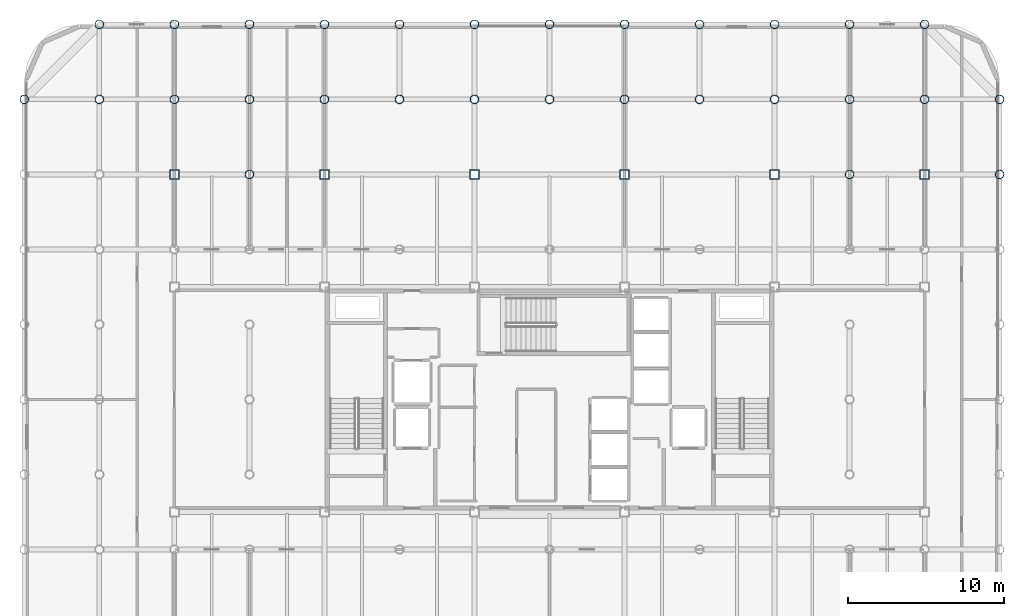
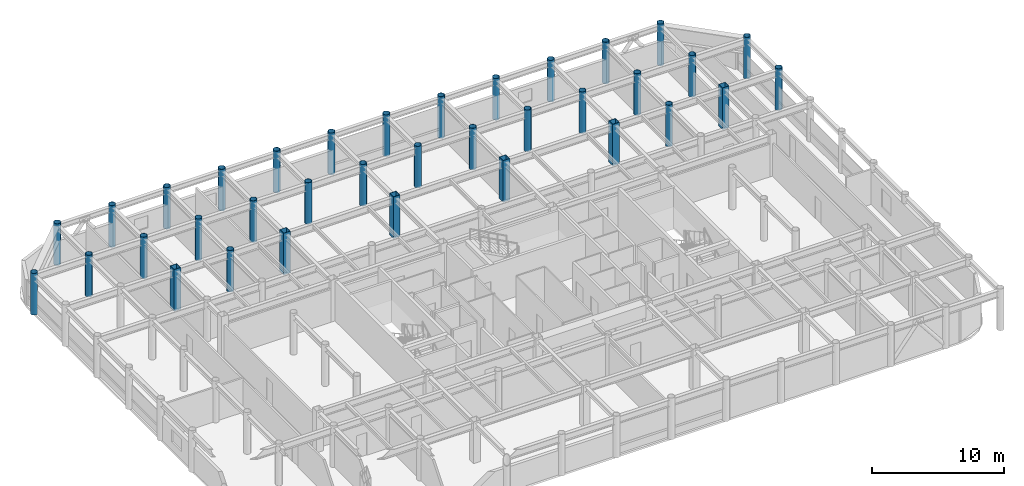
# One storey, part 2 of 21: 35 columns.
"""IFC4 building model written with IfcOpenShell, lengths in metres."""

from ifc_helpers import new_model, si_unit, direction, frame, origin, origin_2d, place, context, subcontext, project, spatial, hollow_rectangle, hollow_circle, extrude, material, material_profile, profile_set, type_object, element, save


model = new_model("IFC4")

# Units and contexts
model_context = context("Model", 3, precision=1e-05, world=origin(), true_north=direction((0.0, 1.0)))
body_context = subcontext(model_context, "Body", "Model", "MODEL_VIEW")
ifc_project = project(units=[si_unit("LENGTHUNIT", "METRE"), si_unit("AREAUNIT", "SQUARE_METRE"), si_unit("VOLUMEUNIT", "CUBIC_METRE"), si_unit("PLANEANGLEUNIT", "RADIAN"), si_unit("MASSUNIT", "GRAM", prefix="KILO")], contexts=[model_context])

# Site, building, storey
site_placement = place(None, origin())
site = spatial("IfcSite", under=ifc_project, at=site_placement, CompositionType="ELEMENT")
building_placement = place(site_placement, origin())
building = spatial("IfcBuilding", under=site, at=building_placement, Name="Kallvorn Hotel Tower", CompositionType="ELEMENT")
storey_placement = place(building_placement, frame((0.0, 0.0, 268.5)))
storey = spatial("IfcBuildingStorey", under=building, at=storey_placement, Name="L67", CompositionType="ELEMENT", Elevation=268.5)

# Columns
ifc_material_1 = material(Name="Structural steel S355J2H", Category="steel")
ifc_material_profile_1 = material_profile(ifc_material_1, hollow_circle(Radius=0.279541015625, WallThickness=0.02490234375, at=origin_2d()), Name="CHS 559x25")
ifc_profile_set_1 = profile_set([ifc_material_profile_1], Name="Structural steel S355J2H")
column_type_1 = type_object("IfcColumnType", Name="COL_CHS_559", PredefinedType="COLUMN", material=ifc_profile_set_1)
for number, where, z_axis, x_axis, name in (
    (1, (-33.60009765625, 19.199951171875, 0.0), (0.0, 0.0, 1.0), (1.0, 0.0, 0.0), "L67 Exoskeleton Column EC08"),
    (2, (-28.800048828125, 19.199951171875, 0.0), (0.0, 0.0, 1.0), (1.0, 0.0, 0.0), "L67 Exoskeleton Column EC17"),
    (3, (-28.800048828125, 24.0, 0.0), (0.0, 0.0, 1.0), (1.0, 0.0, 0.0), "L67 Exoskeleton Column EC18"),
    (4, (-24.0, 19.199951171875, 0.0), (0.0, 0.0, 1.0), (1.0, 0.0, 0.0), "L67 Exoskeleton Column EC22"),
    (5, (-24.0, 24.0, 0.0), (0.0, 0.0, 1.0), (1.0, 0.0, 0.0), "L67 Exoskeleton Column EC23"),
    (6, (-19.199951171875, 14.39990234375, 0.0), (0.0, 0.0, 1.0), (1.0, 0.0, 0.0), "L67 Exoskeleton Column EC31"),
    (7, (-19.199951171875, 19.199951171875, 0.0), (0.0, 0.0, 1.0), (1.0, 0.0, 0.0), "L67 Exoskeleton Column EC32"),
    (8, (-19.199951171875, 24.0, 0.0), (0.0, 0.0, 1.0), (1.0, 0.0, 0.0), "L67 Exoskeleton Column EC33"),
    (9, (-14.39990234375, 19.199951171875, 0.0), (0.0, 0.0, 1.0), (1.0, 0.0, 0.0), "L67 Exoskeleton Column EC35"),
    (10, (-14.39990234375, 24.0, 0.0), (0.0, 0.0, 1.0), (1.0, 0.0, 0.0), "L67 Exoskeleton Column EC36"),
    (11, (-9.60009765625, 19.199951171875, 0.0), (0.0, 0.0, 1.0), (1.0, 0.0, 0.0), "L67 Exoskeleton Column EC40"),
    (12, (-9.60009765625, 24.0, 0.0), (0.0, 0.0, 1.0), (1.0, 0.0, 0.0), "L67 Exoskeleton Column EC41"),
    (13, (-4.800048828125, 19.199951171875, 0.0), (0.0, 0.0, 1.0), (1.0, 0.0, 0.0), "L67 Exoskeleton Column EC43"),
    (14, (-4.800048828125, 24.0, 0.0), (0.0, 0.0, 1.0), (1.0, 0.0, 0.0), "L67 Exoskeleton Column EC44"),
    (15, (0.0, 19.199951171875, 0.0), (0.0, 0.0, 1.0), (1.0, 0.0, 0.0), "L67 Exoskeleton Column EC48"),
    (16, (0.0, 24.0, 0.0), (0.0, 0.0, 1.0), (1.0, 0.0, 0.0), "L67 Exoskeleton Column EC49"),
    (17, (4.800048828125, 19.199951171875, 0.0), (0.0, 0.0, 1.0), (1.0, 0.0, 0.0), "L67 Exoskeleton Column EC51"),
    (18, (4.800048828125, 24.0, 0.0), (0.0, 0.0, 1.0), (1.0, 0.0, 0.0), "L67 Exoskeleton Column EC52"),
    (19, (9.60009765625, 19.199951171875, 0.0), (0.0, 0.0, 1.0), (1.0, 0.0, 0.0), "L67 Exoskeleton Column EC56"),
    (20, (9.60009765625, 24.0, 0.0), (0.0, 0.0, 1.0), (1.0, 0.0, 0.0), "L67 Exoskeleton Column EC57"),
    (21, (14.39990234375, 19.199951171875, 0.0), (0.0, 0.0, 1.0), (1.0, 0.0, 0.0), "L67 Exoskeleton Column EC59"),
    (22, (14.39990234375, 24.0, 0.0), (0.0, 0.0, 1.0), (1.0, 0.0, 0.0), "L67 Exoskeleton Column EC60"),
    (23, (19.199951171875, 14.39990234375, 0.0), (0.0, 0.0, 1.0), (1.0, 0.0, 0.0), "L67 Exoskeleton Column EC68"),
    (24, (19.199951171875, 19.199951171875, 0.0), (0.0, 0.0, 1.0), (1.0, 0.0, 0.0), "L67 Exoskeleton Column EC69"),
    (25, (19.199951171875, 24.0, 0.0), (0.0, 0.0, 1.0), (1.0, 0.0, 0.0), "L67 Exoskeleton Column EC70"),
    (26, (24.0, 19.199951171875, 0.0), (0.0, 0.0, 1.0), (1.0, 0.0, 0.0), "L67 Exoskeleton Column EC74"),
    (27, (24.0, 24.0, 0.0), (0.0, 0.0, 1.0), (1.0, 0.0, 0.0), "L67 Exoskeleton Column EC75"),
    (28, (28.800048828125, 14.39990234375, 0.0), (0.0, 0.0, 1.0), (1.0, 0.0, 0.0), "L67 Exoskeleton Column EC83"),
    (29, (28.800048828125, 19.199951171875, 0.0), (0.0, 0.0, 1.0), (1.0, 0.0, 0.0), "L67 Exoskeleton Column EC84"),
):
    element("IfcColumn", number, at=place(storey_placement, frame(where, z_axis=z_axis, x_axis=x_axis)), inside=storey, type_object=column_type_1, Name=name, PredefinedType="COLUMN", context=body_context, shape_type="SweptSolid", body=[
        extrude(hollow_circle(Radius=0.279541015625, WallThickness=0.02490234375, at=origin_2d()), origin(), (0.0, 0.0, 1.0), 3.85009765625),
    ])
ifc_material_2 = material(Name="Structural steel S355J2H", Category="steel")
ifc_material_profile_2 = material_profile(ifc_material_2, hollow_rectangle(XDim=0.60009765625, YDim=0.60009765625, WallThickness=0.028076171875, at=origin_2d()), Name="RHS 600x600x28")
ifc_profile_set_2 = profile_set([ifc_material_profile_2], Name="Structural steel S355J2H")
column_type_2 = type_object("IfcColumnType", Name="COL_RHS_600", PredefinedType="COLUMN", material=ifc_profile_set_2)
for number, where, z_axis, x_axis, name in (
    (30, (-24.0, 14.39990234375, 0.0), (0.0, 0.0, 1.0), (1.0, 0.0, 0.0), "L67 Inner Column IC04"),
    (31, (-14.39990234375, 14.39990234375, 0.0), (0.0, 0.0, 1.0), (1.0, 0.0, 0.0), "L67 Inner Column IC08"),
    (32, (-4.800048828125, 14.39990234375, 0.0), (0.0, 0.0, 1.0), (1.0, 0.0, 0.0), "L67 Inner Column IC12"),
    (33, (4.800048828125, 14.39990234375, 0.0), (0.0, 0.0, 1.0), (1.0, 0.0, 0.0), "L67 Inner Column IC16"),
    (34, (14.39990234375, 14.39990234375, 0.0), (0.0, 0.0, 1.0), (1.0, 0.0, 0.0), "L67 Inner Column IC20"),
    (35, (24.0, 14.39990234375, 0.0), (0.0, 0.0, 1.0), (1.0, 0.0, 0.0), "L67 Inner Column IC24"),
):
    element("IfcColumn", number, at=place(storey_placement, frame(where, z_axis=z_axis, x_axis=x_axis)), inside=storey, type_object=column_type_2, Name=name, PredefinedType="COLUMN", context=body_context, shape_type="SweptSolid", body=[
        extrude(hollow_rectangle(XDim=0.60009765625, YDim=0.60009765625, WallThickness=0.028076171875, at=origin_2d()), origin(), (0.0, 0.0, 1.0), 3.85009765625),
    ])

save(model, "model.ifc")
